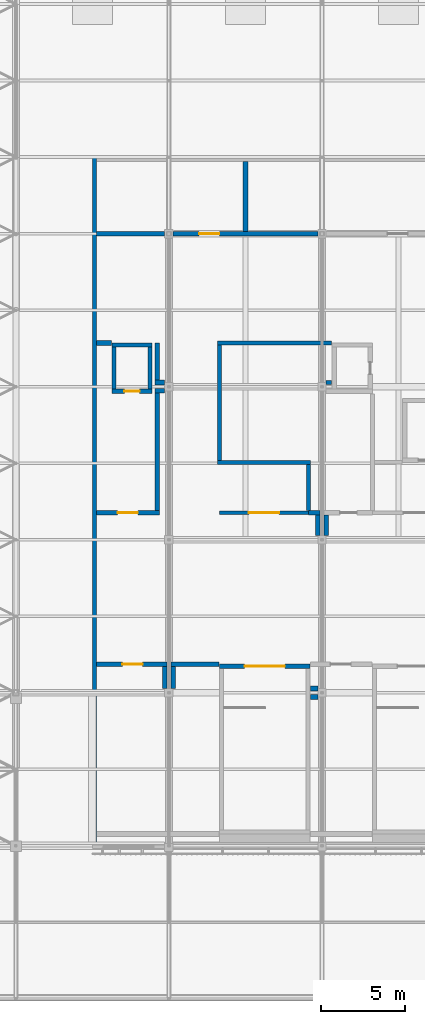
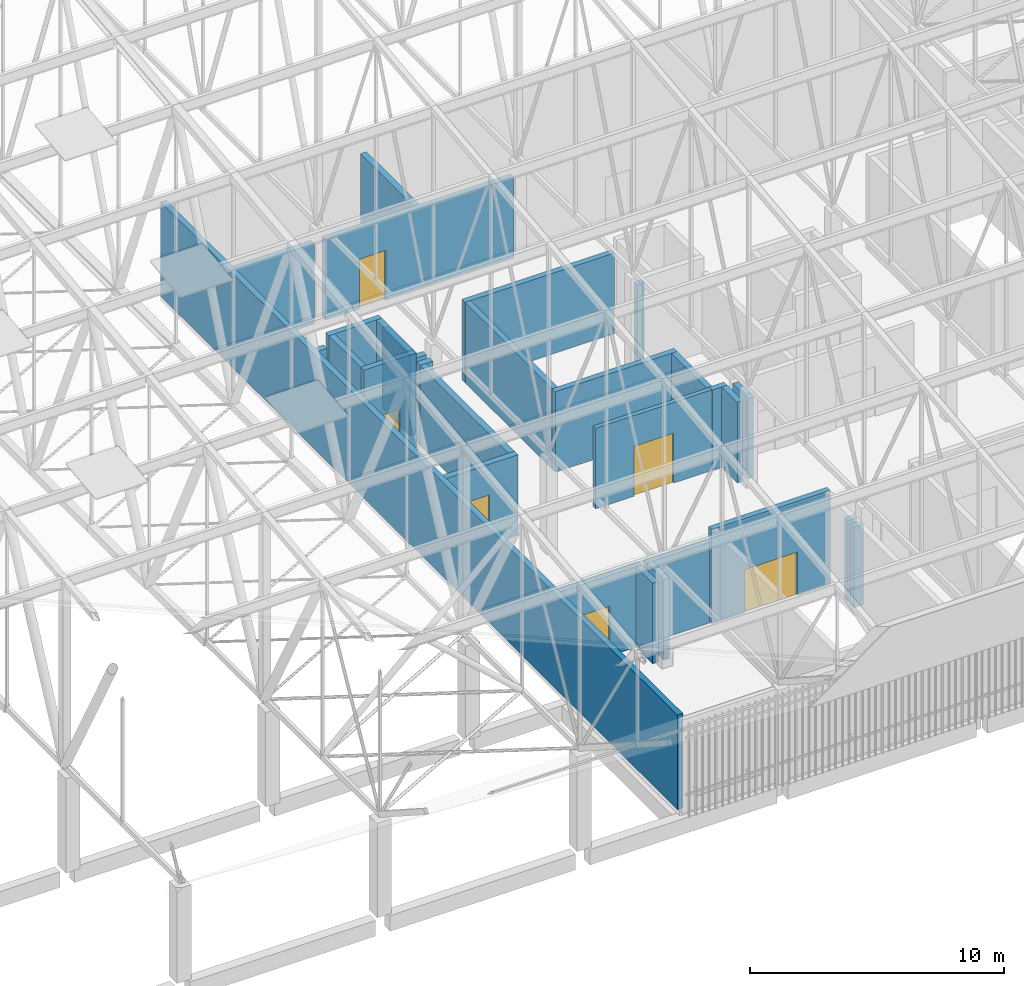
# One storey, part 428 of 500: 30 walls, 6 doors, 6 openings.
"""IFC4 building model written with IfcOpenShell, lengths in metres."""

from ifc_helpers import new_model, si_unit, direction, frame, frame_2d, origin, place, context, subcontext, project, spatial, rectangle, extrude, material, layer, layer_set, type_object, element, fill, save


model = new_model("IFC4")

# Units and contexts
model_context = context("Model", 3, precision=1e-05, world=origin(), true_north=direction((0.0, 1.0)))
body_context = subcontext(model_context, "Body", "Model", "MODEL_VIEW")
ifc_project = project(units=[si_unit("LENGTHUNIT", "METRE"), si_unit("AREAUNIT", "SQUARE_METRE"), si_unit("VOLUMEUNIT", "CUBIC_METRE"), si_unit("PLANEANGLEUNIT", "RADIAN"), si_unit("MASSUNIT", "GRAM", prefix="KILO")], contexts=[model_context])

# Site, building, storey
site_placement = place(None, origin())
site = spatial("IfcSite", under=ifc_project, at=site_placement, CompositionType="ELEMENT")
building_placement = place(site_placement, origin())
building = spatial("IfcBuilding", under=site, at=building_placement, Name="Shirokan Park Arena", CompositionType="ELEMENT")
storey_placement = place(building_placement, frame((0.0, 0.0, 29.1201171875)))
storey = spatial("IfcBuildingStorey", under=building, at=storey_placement, Name="L06", CompositionType="ELEMENT", Elevation=29.1201171875)

# Walls
ifc_material_1 = material(Name="Plaster")
ifc_layer_1 = layer(ifc_material_1, 0.014892578125, Name="Plaster")
ifc_material_2 = material(Name="Concrete blockwork", Category="masonry")
ifc_layer_2 = layer(ifc_material_2, 0.219970703125, Name="Concrete blockwork 220")
ifc_layer_3 = layer(ifc_material_1, 0.014892578125, Name="Plaster")
ifc_layer_set_1 = layer_set([ifc_layer_1, ifc_layer_2, ifc_layer_3], Name="Plaster + Concrete blockwork 220")
wall_type_1 = type_object("IfcWallType", Name="Compartment wall 250", PredefinedType="SOLIDWALL", material=ifc_layer_set_1)
wall_1_placement = place(storey_placement, frame((112.074951171875, 29.89990234375, 0.0), z_axis=(0.0, 0.0, 1.0), x_axis=(1.0, 0.0, 0.0)))
element("IfcWall", 1, at=wall_1_placement, inside=storey, type_object=wall_type_1, Name="Compartment wall 250 L06", PredefinedType="SOLIDWALL", context=body_context, shape_type="SweptSolid", body=[
    extrude(rectangle(XDim=6.795166015625, YDim=0.25, at=frame_2d((3.3974609375, 0.0))), origin(), (0.0, 0.0, 1.0), 3.8798828125),
])
wall_2_placement = place(storey_placement, frame((112.199951171875, 22.925048828125, 0.0), z_axis=(0.0, 0.0, 1.0), x_axis=(0.0, 1.0, 0.0)))
element("IfcWall", 2, at=wall_2_placement, inside=storey, type_object=wall_type_1, Name="Compartment wall 250 L06", PredefinedType="SOLIDWALL", context=body_context, shape_type="SweptSolid", body=[
    extrude(rectangle(XDim=6.849853515625, YDim=0.25, at=frame_2d((3.4248046875, 0.0))), origin(), (0.0, 0.0, 1.0), 3.8798828125),
])
wall_3_placement = place(storey_placement, frame((117.5, 19.800048828125, 0.0), z_axis=(0.0, 0.0, 1.0), x_axis=(1.0, 0.0, 0.0)))
element("IfcWall", 3, at=wall_3_placement, inside=storey, type_object=wall_type_1, Name="Compartment wall 250 L06", PredefinedType="SOLIDWALL", context=body_context, shape_type="SweptSolid", body=[
    extrude(rectangle(XDim=0.675048828125, YDim=0.25, at=frame_2d((0.33740234375, 0.0))), origin(), (0.0, 0.0, 1.0), 3.8798828125),
])
wall_4_placement = place(storey_placement, frame((117.5, 19.925048828125, 0.0), z_axis=(0.0, 0.0, 1.0), x_axis=(0.0, 1.0, 0.0)))
element("IfcWall", 4, at=wall_4_placement, inside=storey, type_object=wall_type_1, Name="Compartment wall 250 L06", PredefinedType="SOLIDWALL", context=body_context, shape_type="SweptSolid", body=[
    extrude(rectangle(XDim=2.75, YDim=0.25, at=frame_2d((1.375, 0.0))), origin(), (0.0, 0.0, 1.0), 3.8798828125),
])
wall_5_placement = place(storey_placement, frame((117.625, 22.800048828125, 0.0), z_axis=(0.0, 0.0, 1.0), x_axis=(-1.0, 0.0, 0.0)))
element("IfcWall", 5, at=wall_5_placement, inside=storey, type_object=wall_type_1, Name="Compartment wall 250 L06", PredefinedType="SOLIDWALL", context=body_context, shape_type="SweptSolid", body=[
    extrude(rectangle(XDim=5.550048828125, YDim=0.25, at=frame_2d((2.77490234375, 0.0))), origin(), (0.0, 0.0, 1.0), 3.8798828125),
])
for number, where, z_axis, x_axis, name in (
    (6, (118.050048828125, 19.675048828125, 0.0), (0.0, 0.0, 1.0), (0.0, -1.0, 0.0), "Compartment wall 250 L06"),
    (7, (118.550048828125, 18.449951171875, 0.0), (0.0, 0.0, 1.0), (0.0, 1.0, 0.0), "Compartment wall 250 L06"),
):
    element("IfcWall", number, at=place(storey_placement, frame(where, z_axis=z_axis, x_axis=x_axis)), inside=storey, type_object=wall_type_1, Name=name, PredefinedType="SOLIDWALL", context=body_context, shape_type="SweptSolid", body=[
        extrude(rectangle(XDim=1.22509765625, YDim=0.25, at=frame_2d((0.612548828125, 0.0))), origin(), (0.0, 0.0, 1.0), 3.8798828125),
    ])
wall_6_placement = place(storey_placement, frame((118.8701171875, 27.550048828125, 0.0), z_axis=(0.0, 0.0, 1.0), x_axis=(-1.0, 0.0, 0.0)))
element("IfcWall", 8, at=wall_6_placement, inside=storey, type_object=wall_type_1, Name="Compartment wall 250 L06", PredefinedType="SOLIDWALL", context=body_context, shape_type="SweptSolid", body=[
    extrude(rectangle(XDim=0.320068359375, YDim=0.25, at=frame_2d((0.16015625, 0.0))), origin(), (0.0, 0.0, 1.0), 3.8798828125),
])

# Wall, opening, door
ifc_material_3 = material(Name="Gypsum board")
ifc_layer_4 = layer(ifc_material_3, 0.02490234375, Name="Gypsum board, two layers")
ifc_material_4 = material(Name="Mineral wool insulation")
ifc_layer_5 = layer(ifc_material_4, 0.14990234375, Name="Mineral wool insulation")
ifc_layer_6 = layer(ifc_material_3, 0.02490234375, Name="Gypsum board, two layers")
ifc_layer_set_2 = layer_set([ifc_layer_4, ifc_layer_5, ifc_layer_6], Name="Gypsum board, two layers + Mineral wool insulation")
wall_type_2 = type_object("IfcWallType", Name="Corridor wall 200", PredefinedType="PARTITIONING", material=ifc_layer_set_2)
wall_7_placement = place(storey_placement, frame((112.199951171875, 19.800048828125, 0.0), z_axis=(0.0, 0.0, 1.0), x_axis=(1.0, 0.0, 0.0)))
wall_7 = element("IfcWall", 9, at=wall_7_placement, inside=storey, type_object=wall_type_2, Name="Corridor wall 200 L06", PredefinedType="PARTITIONING", context=body_context, shape_type="SweptSolid", body=[
    extrude(rectangle(XDim=5.300048828125, YDim=0.199951171875, at=frame_2d((2.64990234375, 0.0))), origin(), (0.0, 0.0, 1.0), 3.8798828125),
])
opening_1_placement = place(wall_7_placement, frame((1.75, 0.0, 0.0)))
opening_1 = element("IfcOpeningElement", 10, at=opening_1_placement, cuts=wall_7, Name="Opening D-6050", PredefinedType="OPENING", context=body_context, shape_type="SweptSolid", body=[
    extrude(rectangle(XDim=1.800048828125, YDim=2.39990234375, at=frame_2d((0.89990234375, 1.199951171875))), frame((0.0, 0.10986328125, 0.0), z_axis=(0.0, -1.0, 0.0), x_axis=(1.0, 0.0, 0.0)), (0.0, 0.0, 1.0), 0.219970703125),
])
ifc_material_5 = material(Name="Glazed steel door set, fire resisting", Category="steel")
door_type_1 = type_object("IfcDoorType", Name="Lift lobby door 1800 x 2400", OperationType="DOUBLE_DOOR_SINGLE_SWING", PredefinedType="DOOR", material=ifc_material_5)
door_1_placement = place(opening_1_placement, origin())
door_1 = element("IfcDoor", 11, at=door_1_placement, inside=storey, type_object=door_type_1, Name="Door between Plant Gallery 2.6.1 and Lift Lobby 2.6 D-6050", OperationType="DOUBLE_DOOR_SINGLE_SWING", OverallHeight=2.39990234375, OverallWidth=1.800048828125, PredefinedType="DOOR", context=body_context, shape_type="SweptSolid", body=[
    extrude(rectangle(XDim=1.800048828125, YDim=2.39990234375, at=frame_2d((0.89990234375, 1.199951171875))), frame((0.0, 0.02490234375, 0.0), z_axis=(0.0, -1.0, 0.0), x_axis=(1.0, 0.0, 0.0)), (0.0, 0.0, 1.0), 0.050048828125),
])
fill(opening_1, door_1)

ifc_layer_7 = layer(ifc_material_1, 0.012451171875, Name="Plaster")
ifc_layer_8 = layer(ifc_material_2, 0.25, Name="Concrete blockwork 250")
ifc_layer_9 = layer(ifc_material_1, 0.012451171875, Name="Plaster")
ifc_layer_set_3 = layer_set([ifc_layer_7, ifc_layer_8, ifc_layer_9], Name="Plaster + Concrete blockwork 250")
wall_type_3 = type_object("IfcWallType", Name="Plant room wall 275", PredefinedType="SOLIDWALL", material=ifc_layer_set_3)
wall_8_placement = place(storey_placement, frame((104.89990234375, 19.800048828125, 0.0), z_axis=(0.0, 0.0, 1.0), x_axis=(1.0, 0.0, 0.0)))
wall_8 = element("IfcWall", 12, at=wall_8_placement, inside=storey, type_object=wall_type_3, Name="Plant room wall 275 L06", PredefinedType="SOLIDWALL", context=body_context, shape_type="SweptSolid", body=[
    extrude(rectangle(XDim=3.737548828125, YDim=0.27490234375, at=frame_2d((1.86865234375, 0.0))), origin(), (0.0, 0.0, 1.0), 3.8798828125),
])
opening_2_placement = place(wall_8_placement, frame((1.25, 0.0, 0.0)))
opening_2 = element("IfcOpeningElement", 13, at=opening_2_placement, cuts=wall_8, Name="Opening D-6015", PredefinedType="OPENING", context=body_context, shape_type="SweptSolid", body=[
    extrude(rectangle(XDim=1.199951171875, YDim=2.39990234375, at=frame_2d((0.60009765625, 1.199951171875))), frame((0.0, 0.1474609375, 0.0), z_axis=(0.0, -1.0, 0.0), x_axis=(1.0, 0.0, 0.0)), (0.0, 0.0, 1.0), 0.294921875),
])
ifc_material_6 = material(Name="Louvred steel door set, fire resisting", Category="steel")
door_type_2 = type_object("IfcDoorType", Name="Plant room door 1200 x 2400", OperationType="SINGLE_SWING_LEFT", PredefinedType="DOOR", material=ifc_material_6)
door_2_placement = place(opening_2_placement, origin())
door_2 = element("IfcDoor", 14, at=door_2_placement, inside=storey, type_object=door_type_2, Name="Door to Plant Store 6.29 D-6015", OperationType="SINGLE_SWING_RIGHT", OverallHeight=2.39990234375, OverallWidth=1.199951171875, PredefinedType="DOOR", context=body_context, shape_type="SweptSolid", body=[
    extrude(rectangle(XDim=1.199951171875, YDim=2.39990234375, at=frame_2d((0.60009765625, 1.199951171875))), frame((0.0, 0.02490234375, 0.0), z_axis=(0.0, -1.0, 0.0), x_axis=(1.0, 0.0, 0.0)), (0.0, 0.0, 1.0), 0.050048828125),
])
fill(opening_2, door_2)

# Walls
wall_9_placement = place(storey_placement, frame((104.89990234375, 29.89990234375, 0.0), z_axis=(0.0, 0.0, 1.0), x_axis=(1.0, 0.0, 0.0)))
element("IfcWall", 15, at=wall_9_placement, inside=storey, type_object=wall_type_3, Name="Plant room wall 275 L06", PredefinedType="SOLIDWALL", context=body_context, shape_type="SweptSolid", body=[
    extrude(rectangle(XDim=0.8701171875, YDim=0.27490234375, at=frame_2d((0.43505859375, 0.0))), origin(), (0.0, 0.0, 1.0), 3.8798828125),
])
wall_10_placement = place(storey_placement, frame((108.362548828125, 27.050048828125, 0.0), z_axis=(0.0, 0.0, 1.0), x_axis=(1.0, 0.0, 0.0)))
element("IfcWall", 16, at=wall_10_placement, inside=storey, type_object=wall_type_3, Name="Plant room wall 275 L06", PredefinedType="SOLIDWALL", context=body_context, shape_type="SweptSolid", body=[
    extrude(rectangle(XDim=0.58740234375, YDim=0.27490234375, at=frame_2d((0.293701171875, 0.0))), origin(), (0.0, 0.0, 1.0), 3.8798828125),
])
wall_11_placement = place(storey_placement, frame((108.5, 19.9375, 0.0), z_axis=(0.0, 0.0, 1.0), x_axis=(0.0, 1.0, 0.0)))
element("IfcWall", 17, at=wall_11_placement, inside=storey, type_object=wall_type_3, Name="Plant room wall 275 L06", PredefinedType="SOLIDWALL", context=body_context, shape_type="SweptSolid", body=[
    extrude(rectangle(XDim=6.97509765625, YDim=0.27490234375, at=frame_2d((3.487548828125, 0.0))), origin(), (0.0, 0.0, 1.0), 3.8798828125),
])
wall_12_placement = place(storey_placement, frame((108.5, 27.6875, 0.0), z_axis=(0.0, 0.0, 1.0), x_axis=(0.0, 1.0, 0.0)))
element("IfcWall", 18, at=wall_12_placement, inside=storey, type_object=wall_type_3, Name="Plant room wall 275 L06", PredefinedType="SOLIDWALL", context=body_context, shape_type="SweptSolid", body=[
    extrude(rectangle(XDim=2.21240234375, YDim=0.27490234375, at=frame_2d((1.106201171875, 0.0))), origin(), (0.0, 0.0, 1.0), 3.8798828125),
])
wall_13_placement = place(storey_placement, frame((108.949951171875, 9.35009765625, 0.0), z_axis=(0.0, 0.0, 1.0), x_axis=(0.0, 1.0, 0.0)))
element("IfcWall", 19, at=wall_13_placement, inside=storey, type_object=wall_type_3, Name="Plant room wall 275 L06", PredefinedType="SOLIDWALL", context=body_context, shape_type="SweptSolid", body=[
    extrude(rectangle(XDim=1.3125, YDim=0.27490234375, at=frame_2d((0.65625, 0.0))), origin(), (0.0, 0.0, 1.0), 3.8798828125),
])
wall_14_placement = place(storey_placement, frame((108.949951171875, 27.550048828125, 0.0), z_axis=(0.0, 0.0, 1.0), x_axis=(-1.0, 0.0, 0.0)))
element("IfcWall", 20, at=wall_14_placement, inside=storey, type_object=wall_type_3, Name="Plant room wall 275 L06", PredefinedType="SOLIDWALL", context=body_context, shape_type="SweptSolid", body=[
    extrude(rectangle(XDim=0.58740234375, YDim=0.27490234375, at=frame_2d((0.293701171875, 0.0))), origin(), (0.0, 0.0, 1.0), 3.8798828125),
])
wall_15_placement = place(storey_placement, frame((108.949951171875, 36.39990234375, 0.0), z_axis=(0.0, 0.0, 1.0), x_axis=(-1.0, 0.0, 0.0)))
element("IfcWall", 21, at=wall_15_placement, inside=storey, type_object=wall_type_3, Name="Plant room wall 275 L06", PredefinedType="SOLIDWALL", context=body_context, shape_type="SweptSolid", body=[
    extrude(rectangle(XDim=4.050048828125, YDim=0.27490234375, at=frame_2d((2.02490234375, 0.0))), origin(), (0.0, 0.0, 1.0), 3.8798828125),
])

# Wall, opening, door
wall_16_placement = place(storey_placement, frame((109.08740234375, 10.800048828125, 0.0), z_axis=(0.0, 0.0, 1.0), x_axis=(-1.0, 0.0, 0.0)))
wall_16 = element("IfcWall", 22, at=wall_16_placement, inside=storey, type_object=wall_type_3, Name="Plant room wall 275 L06", PredefinedType="SOLIDWALL", context=body_context, shape_type="SweptSolid", body=[
    extrude(rectangle(XDim=4.1875, YDim=0.27490234375, at=frame_2d((2.09375, 0.0))), origin(), (0.0, 0.0, 1.0), 3.8798828125),
])
opening_3_placement = place(wall_16_placement, frame((1.449951171875, 0.0, 0.0)))
opening_3 = element("IfcOpeningElement", 23, at=opening_3_placement, cuts=wall_16, Name="Opening D-6019", PredefinedType="OPENING", context=body_context, shape_type="SweptSolid", body=[
    extrude(rectangle(XDim=1.199951171875, YDim=2.39990234375, at=frame_2d((0.60009765625, 1.199951171875))), frame((0.0, 0.1474609375, 0.0), z_axis=(0.0, -1.0, 0.0), x_axis=(1.0, 0.0, 0.0)), (0.0, 0.0, 1.0), 0.294921875),
])
door_3_placement = place(opening_3_placement, origin())
door_3 = element("IfcDoor", 24, at=door_3_placement, inside=storey, type_object=door_type_2, Name="Door to Plant Store 6.23 D-6019", OperationType="SINGLE_SWING_RIGHT", OverallHeight=2.39990234375, OverallWidth=1.199951171875, PredefinedType="DOOR", context=body_context, shape_type="SweptSolid", body=[
    extrude(rectangle(XDim=1.199951171875, YDim=2.39990234375, at=frame_2d((0.60009765625, 1.199951171875))), frame((0.0, 0.02490234375, 0.0), z_axis=(0.0, -1.0, 0.0), x_axis=(1.0, 0.0, 0.0)), (0.0, 0.0, 1.0), 0.050048828125),
])
fill(opening_3, door_3)

# Walls
wall_17_placement = place(storey_placement, frame((109.449951171875, 10.66259765625, 0.0), z_axis=(0.0, 0.0, 1.0), x_axis=(0.0, -1.0, 0.0)))
element("IfcWall", 25, at=wall_17_placement, inside=storey, type_object=wall_type_3, Name="Plant room wall 275 L06", PredefinedType="SOLIDWALL", context=body_context, shape_type="SweptSolid", body=[
    extrude(rectangle(XDim=1.3125, YDim=0.27490234375, at=frame_2d((0.65625, 0.0))), origin(), (0.0, 0.0, 1.0), 3.8798828125),
])
wall_18_placement = place(storey_placement, frame((112.169921875, 10.800048828125, 0.0), z_axis=(0.0, 0.0, 1.0), x_axis=(-1.0, 0.0, 0.0)))
element("IfcWall", 26, at=wall_18_placement, inside=storey, type_object=wall_type_3, Name="Plant room wall 275 L06", PredefinedType="SOLIDWALL", context=body_context, shape_type="SweptSolid", body=[
    extrude(rectangle(XDim=2.857421875, YDim=0.27490234375, at=frame_2d((1.4287109375, 0.0))), origin(), (0.0, 0.0, 1.0), 3.8798828125),
])

# Wall, opening, door
wall_19_placement = place(storey_placement, frame((109.449951171875, 36.39990234375, 0.0), z_axis=(0.0, 0.0, 1.0), x_axis=(1.0, 0.0, 0.0)))
wall_19 = element("IfcWall", 27, at=wall_19_placement, inside=storey, type_object=wall_type_3, Name="Plant room wall 275 L06", PredefinedType="SOLIDWALL", context=body_context, shape_type="SweptSolid", body=[
    extrude(rectangle(XDim=8.60009765625, YDim=0.27490234375, at=frame_2d((4.300048828125, 0.0))), origin(), (0.0, 0.0, 1.0), 3.8798828125),
])
opening_4_placement = place(wall_19_placement, frame((1.550048828125, 0.0, 0.0)))
opening_4 = element("IfcOpeningElement", 28, at=opening_4_placement, cuts=wall_19, Name="Opening D-6021", PredefinedType="OPENING", context=body_context, shape_type="SweptSolid", body=[
    extrude(rectangle(XDim=1.199951171875, YDim=2.39990234375, at=frame_2d((0.60009765625, 1.199951171875))), frame((0.0, 0.1474609375, 0.0), z_axis=(0.0, -1.0, 0.0), x_axis=(1.0, 0.0, 0.0)), (0.0, 0.0, 1.0), 0.294921875),
])
door_4_placement = place(opening_4_placement, origin())
door_4 = element("IfcDoor", 29, at=door_4_placement, inside=storey, type_object=door_type_2, Name="Door to Pump Room 6.22 D-6021", OperationType="SINGLE_SWING_RIGHT", OverallHeight=2.39990234375, OverallWidth=1.199951171875, PredefinedType="DOOR", context=body_context, shape_type="SweptSolid", body=[
    extrude(rectangle(XDim=1.199951171875, YDim=2.39990234375, at=frame_2d((0.60009765625, 1.199951171875))), frame((0.0, 0.02490234375, 0.0), z_axis=(0.0, -1.0, 0.0), x_axis=(1.0, 0.0, 0.0)), (0.0, 0.0, 1.0), 0.050048828125),
])
fill(opening_4, door_4)

# Walls
wall_20_placement = place(storey_placement, frame((113.75, 36.53759765625, 0.0), z_axis=(0.0, 0.0, 1.0), x_axis=(0.0, 1.0, 0.0)))
element("IfcWall", 30, at=wall_20_placement, inside=storey, type_object=wall_type_3, Name="Plant room wall 275 L06", PredefinedType="SOLIDWALL", context=body_context, shape_type="SweptSolid", body=[
    extrude(rectangle(XDim=4.162353515625, YDim=0.27490234375, at=frame_2d((2.0810546875, 0.0))), origin(), (0.0, 0.0, 1.0), 3.8798828125),
])
for number, where, z_axis, x_axis, name in (
    (31, (117.6298828125, 8.85009765625, 0.0), (0.0, 0.0, 1.0), (1.0, 0.0, 0.0), "Plant room wall 275 L06"),
    (32, (118.050048828125, 9.35009765625, 0.0), (0.0, 0.0, 1.0), (-1.0, 0.0, 0.0), "Plant room wall 275 L06"),
):
    element("IfcWall", number, at=place(storey_placement, frame(where, z_axis=z_axis, x_axis=x_axis)), inside=storey, type_object=wall_type_3, Name=name, PredefinedType="SOLIDWALL", context=body_context, shape_type="SweptSolid", body=[
        extrude(rectangle(XDim=0.420166015625, YDim=0.27490234375, at=frame_2d((0.2099609375, 0.0))), origin(), (0.0, 0.0, 1.0), 3.8798828125),
    ])
ifc_material_7 = material(Name="Concrete C35", Category="concrete")
ifc_layer_10 = layer(ifc_material_7, 0.25)
ifc_layer_set_4 = layer_set([ifc_layer_10], Name="Concrete C35 250 mm")
wall_type_4 = type_object("IfcWallType", Name="RC flank wall 250", PredefinedType="SHEAR", material=ifc_layer_set_4)
wall_21_placement = place(storey_placement, frame((104.77490234375, 40.949951171875, 0.0), z_axis=(0.0, 0.0, 1.0), x_axis=(0.0, -1.0, 0.0)))
element("IfcWall", 33, at=wall_21_placement, inside=storey, type_object=wall_type_4, Name="Flank wall S2 L06", PredefinedType="SHEAR", context=body_context, shape_type="SweptSolid", body=[
    extrude(rectangle(XDim=40.77490234375, YDim=0.25, at=frame_2d((20.387451171875, 0.0))), origin(), (0.0, 0.0, 1.0), 4.5498046875),
])

# Wall, opening, door
ifc_material_8 = material(Name="Concrete C40/50", Category="concrete")
ifc_layer_11 = layer(ifc_material_8, 0.25)
ifc_layer_set_5 = layer_set([ifc_layer_11], Name="Concrete C40/50 250 mm")
wall_type_5 = type_object("IfcWallType", Name="RC shear wall 250", PredefinedType="SHEAR", material=ifc_layer_set_5)
wall_22_placement = place(storey_placement, frame((108.199951171875, 27.02490234375, 0.0), z_axis=(0.0, 0.0, 1.0), x_axis=(-1.0, 0.0, 0.0)))
wall_22 = element("IfcWall", 34, at=wall_22_placement, inside=storey, type_object=wall_type_5, Name="Shaft wall Services Riser 2.1 S L06", PredefinedType="SHEAR", context=body_context, shape_type="SweptSolid", body=[
    extrude(rectangle(XDim=2.39990234375, YDim=0.25, at=frame_2d((1.199951171875, 0.0))), origin(), (0.0, 0.0, 1.0), 4.5498046875),
])
opening_5_placement = place(wall_22_placement, frame((0.75, 0.0, 0.0)))
opening_5 = element("IfcOpeningElement", 35, at=opening_5_placement, cuts=wall_22, Name="Opening D-6062", PredefinedType="OPENING", context=body_context, shape_type="SweptSolid", body=[
    extrude(rectangle(XDim=0.89990234375, YDim=2.10009765625, at=frame_2d((0.449951171875, 1.050048828125))), frame((0.0, 0.135009765625, 0.0), z_axis=(0.0, -1.0, 0.0), x_axis=(1.0, 0.0, 0.0)), (0.0, 0.0, 1.0), 0.27001953125),
])
ifc_material_9 = material(Name="Steel door set, fire resisting", Category="steel")
door_type_3 = type_object("IfcDoorType", Name="Electrical riser door 900 x 2100", OperationType="SINGLE_SWING_LEFT", PredefinedType="DOOR", material=ifc_material_9)
door_5_placement = place(opening_5_placement, origin())
door_5 = element("IfcDoor", 36, at=door_5_placement, inside=storey, type_object=door_type_3, Name="Riser access door Services Riser 2.1 D-6062", OperationType="SINGLE_SWING_LEFT", OverallHeight=2.10009765625, OverallWidth=0.89990234375, PredefinedType="DOOR", context=body_context, shape_type="SweptSolid", body=[
    extrude(rectangle(XDim=0.89990234375, YDim=2.10009765625, at=frame_2d((0.449951171875, 1.050048828125))), frame((0.0, 0.02490234375, 0.0), z_axis=(0.0, -1.0, 0.0), x_axis=(1.0, 0.0, 0.0)), (0.0, 0.0, 1.0), 0.050048828125),
])
fill(opening_5, door_5)

# Walls
wall_23_placement = place(storey_placement, frame((108.199951171875, 29.77490234375, 0.0), z_axis=(0.0, 0.0, 1.0), x_axis=(-1.0, 0.0, 0.0)))
element("IfcWall", 37, at=wall_23_placement, inside=storey, type_object=wall_type_5, Name="Shaft wall Services Riser 2.1 N L06", PredefinedType="SHEAR", context=body_context, shape_type="SweptSolid", body=[
    extrude(rectangle(XDim=2.39990234375, YDim=0.25, at=frame_2d((1.199951171875, 0.0))), origin(), (0.0, 0.0, 1.0), 4.5498046875),
])
for number, where, z_axis, x_axis, name in (
    (38, (105.925048828125, 29.64990234375, 0.0), (0.0, 0.0, 1.0), (0.0, -1.0, 0.0), "Shaft wall Services Riser 2.1 W L06"),
    (39, (108.074951171875, 29.64990234375, 0.0), (0.0, 0.0, 1.0), (0.0, -1.0, 0.0), "Shaft wall Services Riser 2.1 E L06"),
):
    element("IfcWall", number, at=place(storey_placement, frame(where, z_axis=z_axis, x_axis=x_axis)), inside=storey, type_object=wall_type_5, Name=name, PredefinedType="SHEAR", context=body_context, shape_type="SweptSolid", body=[
        extrude(rectangle(XDim=2.5, YDim=0.25, at=frame_2d((1.25, 0.0))), origin(), (0.0, 0.0, 1.0), 4.5498046875),
    ])

# Wall, opening, door
wall_24_placement = place(storey_placement, frame((117.60009765625, 10.675048828125, 0.0), z_axis=(0.0, 0.0, 1.0), x_axis=(-1.0, 0.0, 0.0)))
wall_24 = element("IfcWall", 40, at=wall_24_placement, inside=storey, type_object=wall_type_5, Name="Shaft wall Exit Stair 2.D N L06", PredefinedType="SHEAR", context=body_context, shape_type="SweptSolid", body=[
    extrude(rectangle(XDim=5.400146484375, YDim=0.25, at=frame_2d((2.7001953125, 0.0))), origin(), (0.0, 0.0, 1.0), 4.5498046875),
])
opening_6_placement = place(wall_24_placement, frame((1.5, 0.0, 0.0)))
opening_6 = element("IfcOpeningElement", 41, at=opening_6_placement, cuts=wall_24, Name="Opening D-6074", PredefinedType="OPENING", context=body_context, shape_type="SweptSolid", body=[
    extrude(rectangle(XDim=2.39990234375, YDim=2.10009765625, at=frame_2d((1.199951171875, 1.050048828125))), frame((0.0, 0.135009765625, 0.0), z_axis=(0.0, -1.0, 0.0), x_axis=(1.0, 0.0, 0.0)), (0.0, 0.0, 1.0), 0.27001953125),
])
door_type_4 = type_object("IfcDoorType", Name="Stair door 2400 x 2100", OperationType="DOUBLE_DOOR_SINGLE_SWING", PredefinedType="DOOR", material=ifc_material_9)
door_6_placement = place(opening_6_placement, origin())
door_6 = element("IfcDoor", 42, at=door_6_placement, inside=storey, type_object=door_type_4, Name="Stair door Exit Stair 2.D D-6074", OperationType="DOUBLE_DOOR_SINGLE_SWING", OverallHeight=2.10009765625, OverallWidth=2.39990234375, PredefinedType="DOOR", context=body_context, shape_type="SweptSolid", body=[
    extrude(rectangle(XDim=2.39990234375, YDim=2.10009765625, at=frame_2d((1.199951171875, 1.050048828125))), frame((0.0, 0.02490234375, 0.0), z_axis=(0.0, -1.0, 0.0), x_axis=(1.0, 0.0, 0.0)), (0.0, 0.0, 1.0), 0.050048828125),
])
fill(opening_6, door_6)

save(model, "model.ifc")
